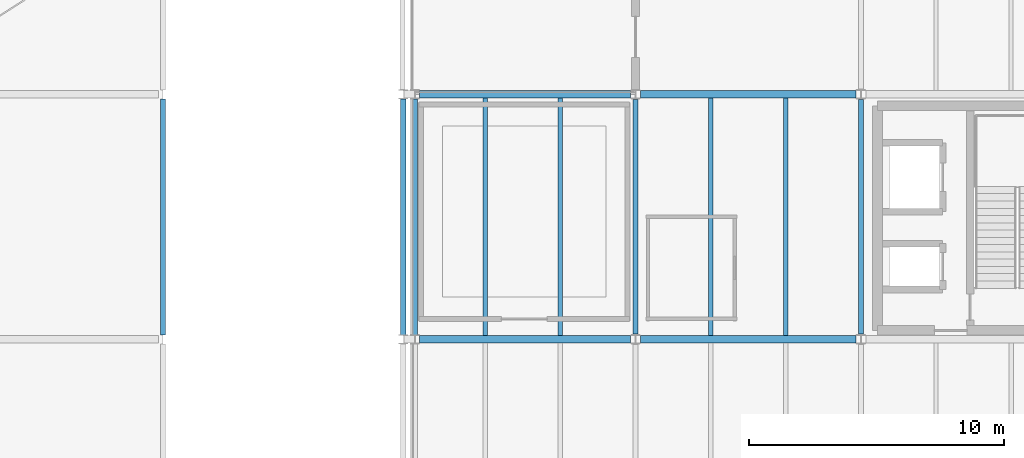
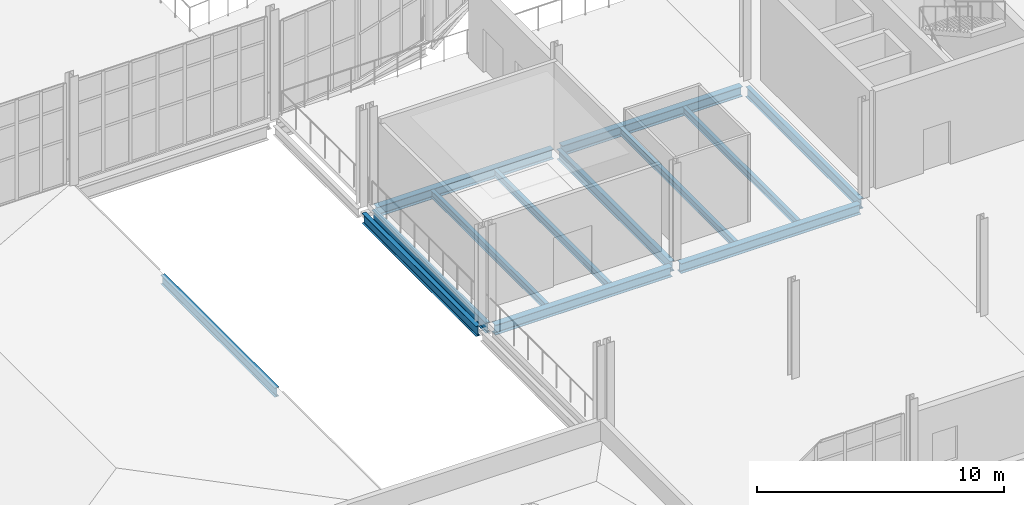
# One storey, part 57 of 112: 13 beams.
"""IFC4 building model written with IfcOpenShell, lengths in metres."""

from ifc_helpers import new_model, si_unit, direction, frame, origin, origin_2d, place, context, subcontext, project, spatial, i_section, extrude, material, material_profile, profile_set, type_object, element, save


model = new_model("IFC4")

# Units and contexts
model_context = context("Model", 3, precision=1e-05, world=origin(), true_north=direction((0.0, 1.0)))
body_context = subcontext(model_context, "Body", "Model", "MODEL_VIEW")
ifc_project = project(units=[si_unit("LENGTHUNIT", "METRE"), si_unit("AREAUNIT", "SQUARE_METRE"), si_unit("VOLUMEUNIT", "CUBIC_METRE"), si_unit("PLANEANGLEUNIT", "RADIAN"), si_unit("MASSUNIT", "GRAM", prefix="KILO")], contexts=[model_context])

# Site, building, storey
site_placement = place(None, origin())
site = spatial("IfcSite", under=ifc_project, at=site_placement, CompositionType="ELEMENT")
building_placement = place(site_placement, origin())
building = spatial("IfcBuilding", under=site, at=building_placement, Name="Yeouljin Market Hall", CompositionType="ELEMENT")
storey_placement = place(building_placement, frame((0.0, 0.0, 6.0)))
storey = spatial("IfcBuildingStorey", under=building, at=storey_placement, Name="L01", CompositionType="ELEMENT", Elevation=6.0)

# Beams
ifc_material_1 = material(Name="Steel SM355", Category="steel")
ifc_material_profile_1 = material_profile(ifc_material_1, i_section(OverallWidth=0.199951171875, OverallDepth=0.449951171875, WebThickness=0.009033203125, FlangeThickness=0.013916015625, FilletRadius=0.01806640625, at=origin_2d()), Name="H-450x200x9x14")
ifc_profile_set_1 = profile_set([ifc_material_profile_1], Name="Steel SM355")
beam_type_1 = type_object("IfcBeamType", Name="Beam_H-450x200x9x14", PredefinedType="BEAM", material=ifc_profile_set_1)
beam_1_placement = place(storey_placement, frame((131.39990234375, 19.375, -0.2451171875), z_axis=(0.0, 1.0, 0.0), x_axis=(-1.0, 0.0, 0.0)))
element("IfcBeam", 1, at=beam_1_placement, inside=storey, type_object=beam_type_1, Name="Boulevard forecourt canopy beam BM-V5FC-Y33", PredefinedType="BEAM", context=body_context, shape_type="SweptSolid", body=[
    extrude(i_section(OverallWidth=0.199951171875, OverallDepth=0.449951171875, WebThickness=0.009033203125, FlangeThickness=0.013916015625, FilletRadius=0.01806640625, at=origin_2d()), origin(), (0.0, 0.0, 1.0), 9.25),
])
ifc_material_2 = material(Name="Steel SM355", Category="steel")
ifc_material_profile_2 = material_profile(ifc_material_2, i_section(OverallWidth=0.199951171875, OverallDepth=0.5, WebThickness=0.010009765625, FlangeThickness=0.01611328125, FilletRadius=0.02001953125, at=origin_2d()), Name="H-500x200x10x16")
ifc_profile_set_2 = profile_set([ifc_material_profile_2], Name="Steel SM355")
beam_type_2 = type_object("IfcBeamType", Name="Beam_H-500x200x10x16", PredefinedType="BEAM", material=ifc_profile_set_2)
for number, where, z_axis, x_axis, name in (
    (2, (140.81005859375, 19.375, -0.514892578125), (0.0, 1.0, 0.0), (-1.0, 0.0, 0.0), "Primary beam BM-L01-Y209"),
    (3, (141.27001953125, 19.375, -0.514892578125), (0.0, 1.0, 0.0), (-1.0, 0.0, 0.0), "Primary beam BM-L01-Y217"),
):
    element("IfcBeam", number, at=place(storey_placement, frame(where, z_axis=z_axis, x_axis=x_axis)), inside=storey, type_object=beam_type_2, Name=name, PredefinedType="BEAM", context=body_context, shape_type="SweptSolid", body=[
        extrude(i_section(OverallWidth=0.199951171875, OverallDepth=0.5, WebThickness=0.010009765625, FlangeThickness=0.01611328125, FilletRadius=0.02001953125, at=origin_2d()), origin(), (0.0, 0.0, 1.0), 9.25),
    ])
for number, where, z_axis, x_axis, name in (
    (4, (149.909912109375, 19.39990234375, -0.514892578125), (0.0, 1.0, 0.0), (-1.0, 0.0, 0.0), "Primary beam BM-L01-Y220"),
    (5, (158.739990234375, 19.39990234375, -0.514892578125), (0.0, 1.0, 0.0), (-1.0, 0.0, 0.0), "Primary beam BM-L01-Y223"),
):
    element("IfcBeam", number, at=place(storey_placement, frame(where, z_axis=z_axis, x_axis=x_axis)), inside=storey, type_object=beam_type_2, Name=name, PredefinedType="BEAM", context=body_context, shape_type="SweptSolid", body=[
        extrude(i_section(OverallWidth=0.199951171875, OverallDepth=0.5, WebThickness=0.010009765625, FlangeThickness=0.01611328125, FilletRadius=0.02001953125, at=origin_2d()), origin(), (0.0, 0.0, 1.0), 9.2001953125),
    ])
ifc_material_3 = material(Name="Steel SM355", Category="steel")
ifc_material_profile_3 = material_profile(ifc_material_3, i_section(OverallWidth=0.300048828125, OverallDepth=0.488037109375, WebThickness=0.010986328125, FlangeThickness=0.01806640625, FilletRadius=0.02197265625, at=origin_2d()), Name="H-488x300x11x18")
ifc_profile_set_3 = profile_set([ifc_material_profile_3], Name="Steel SM355")
beam_type_3 = type_object("IfcBeamType", Name="Girder_H-488x300x11x18", PredefinedType="USERDEFINED", material=ifc_profile_set_3)
beam_2_placement = place(storey_placement, frame((141.445068359375, 19.199951171875, -0.509033203125), z_axis=(1.0, 0.0, 0.0), x_axis=(0.0, 1.0, 0.0)))
element("IfcBeam", 6, at=beam_2_placement, inside=storey, type_object=beam_type_3, Name="Primary girder GRD-L01-X033", ObjectType="GIRDER", PredefinedType="USERDEFINED", context=body_context, shape_type="SweptSolid", body=[
    extrude(i_section(OverallWidth=0.300048828125, OverallDepth=0.488037109375, WebThickness=0.010986328125, FlangeThickness=0.01806640625, FilletRadius=0.02197265625, at=origin_2d()), origin(), (0.0, 0.0, 1.0), 8.264892578125),
])
beam_3_placement = place(storey_placement, frame((150.110107421875, 19.199951171875, -0.509033203125), z_axis=(1.0, 0.0, 0.0), x_axis=(0.0, 1.0, 0.0)))
element("IfcBeam", 7, at=beam_3_placement, inside=storey, type_object=beam_type_3, Name="Primary girder GRD-L01-X034", ObjectType="GIRDER", PredefinedType="USERDEFINED", context=body_context, shape_type="SweptSolid", body=[
    extrude(i_section(OverallWidth=0.300048828125, OverallDepth=0.488037109375, WebThickness=0.010986328125, FlangeThickness=0.01806640625, FilletRadius=0.02197265625, at=origin_2d()), origin(), (0.0, 0.0, 1.0), 8.429931640625),
])
beam_4_placement = place(storey_placement, frame((141.445068359375, 28.800048828125, -0.509033203125), z_axis=(1.0, 0.0, 0.0), x_axis=(0.0, 1.0, 0.0)))
element("IfcBeam", 8, at=beam_4_placement, inside=storey, type_object=beam_type_3, Name="Primary girder GRD-L01-X041", ObjectType="GIRDER", PredefinedType="USERDEFINED", context=body_context, shape_type="SweptSolid", body=[
    extrude(i_section(OverallWidth=0.300048828125, OverallDepth=0.488037109375, WebThickness=0.010986328125, FlangeThickness=0.01806640625, FilletRadius=0.02197265625, at=origin_2d()), origin(), (0.0, 0.0, 1.0), 8.264892578125),
])
beam_5_placement = place(storey_placement, frame((150.110107421875, 28.800048828125, -0.509033203125), z_axis=(1.0, 0.0, 0.0), x_axis=(0.0, 1.0, 0.0)))
element("IfcBeam", 9, at=beam_5_placement, inside=storey, type_object=beam_type_3, Name="Primary girder GRD-L01-X042", ObjectType="GIRDER", PredefinedType="USERDEFINED", context=body_context, shape_type="SweptSolid", body=[
    extrude(i_section(OverallWidth=0.300048828125, OverallDepth=0.488037109375, WebThickness=0.010986328125, FlangeThickness=0.01806640625, FilletRadius=0.02197265625, at=origin_2d()), origin(), (0.0, 0.0, 1.0), 8.429931640625),
])
ifc_material_4 = material(Name="Steel SM355", Category="steel")
ifc_material_profile_4 = material_profile(ifc_material_4, i_section(OverallWidth=0.175048828125, OverallDepth=0.35009765625, WebThickness=0.007080078125, FlangeThickness=0.010986328125, FilletRadius=0.013916015625, at=origin_2d()), Name="H-350x175x7x11")
ifc_profile_set_4 = profile_set([ifc_material_profile_4], Name="Steel SM355")
beam_type_4 = type_object("IfcBeamType", Name="Joist_H-350x175x7x11", PredefinedType="JOIST", material=ifc_profile_set_4)
for number, where, z_axis, x_axis, name in (
    (10, (144.023193359375, 19.346923828125, -0.43994140625), (0.0, 1.0, 0.0), (-1.0, 0.0, 0.0), "Secondary floor joist L01-104"),
    (11, (146.966796875, 19.346923828125, -0.43994140625), (0.0, 1.0, 0.0), (-1.0, 0.0, 0.0), "Secondary floor joist L01-105"),
    (12, (152.853271484375, 19.346923828125, -0.43994140625), (0.0, 1.0, 0.0), (-1.0, 0.0, 0.0), "Secondary floor joist L01-110"),
    (13, (155.796630859375, 19.346923828125, -0.43994140625), (0.0, 1.0, 0.0), (-1.0, 0.0, 0.0), "Secondary floor joist L01-111"),
):
    element("IfcBeam", number, at=place(storey_placement, frame(where, z_axis=z_axis, x_axis=x_axis)), inside=storey, type_object=beam_type_4, Name=name, PredefinedType="JOIST", context=body_context, shape_type="SweptSolid", body=[
        extrude(i_section(OverallWidth=0.175048828125, OverallDepth=0.35009765625, WebThickness=0.007080078125, FlangeThickness=0.010986328125, FilletRadius=0.013916015625, at=origin_2d()), origin(), (0.0, 0.0, 1.0), 9.30615234375),
    ])

save(model, "model.ifc")
